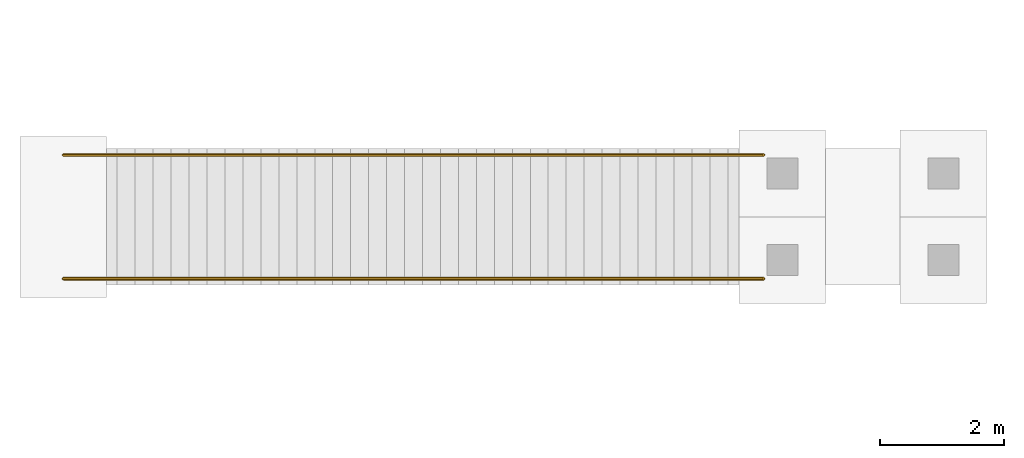
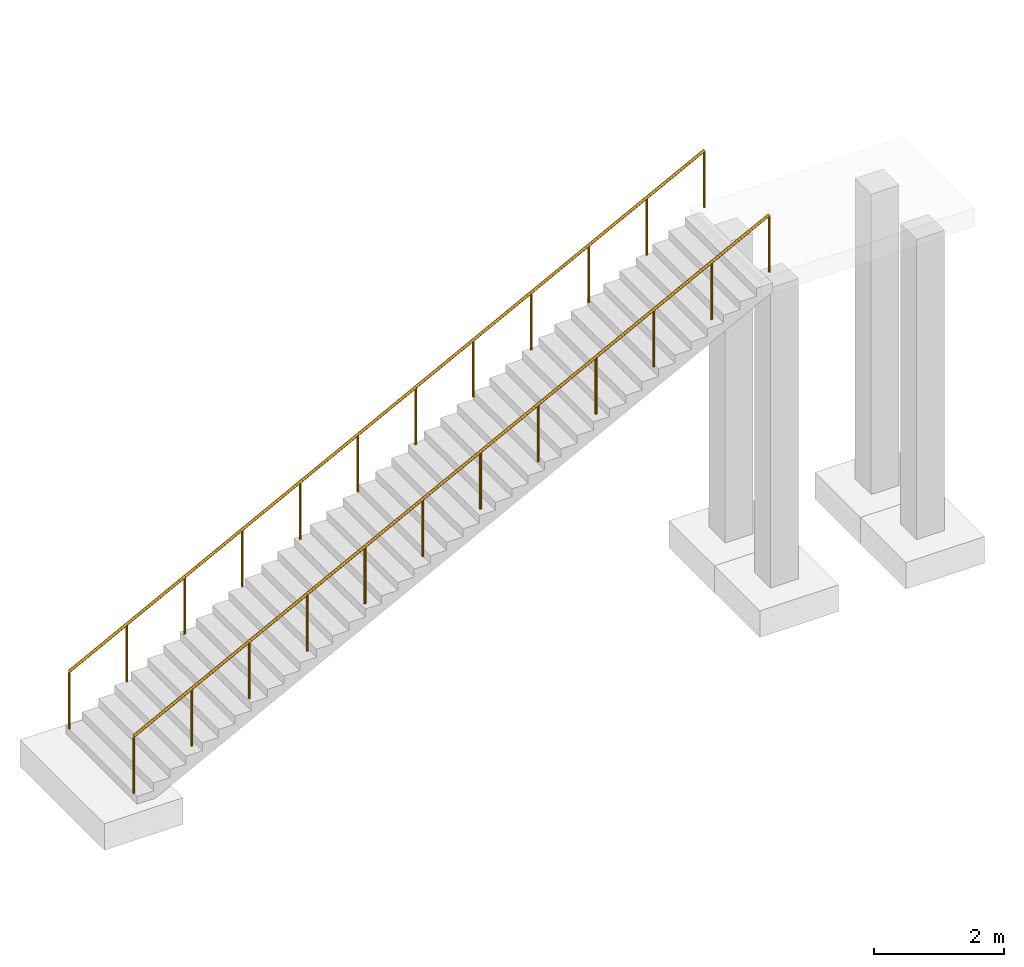
# One storey, part 20 of 25: 2 railings.
"""IFC4 building model written with IfcOpenShell, lengths in metres."""

from ifc_helpers import new_model, si_unit, direction, frame, origin, origin_2d, place, context, subcontext, project, spatial, circle, extrude, material, type_object, element, save


model = new_model("IFC4")

# Units and contexts
model_context = context("Model", 3, precision=1e-05, world=origin(), true_north=direction((0.0, 1.0)))
body_context = subcontext(model_context, "Body", "Model", "MODEL_VIEW")
ifc_project = project(units=[si_unit("LENGTHUNIT", "METRE"), si_unit("AREAUNIT", "SQUARE_METRE"), si_unit("VOLUMEUNIT", "CUBIC_METRE"), si_unit("PLANEANGLEUNIT", "RADIAN"), si_unit("MASSUNIT", "GRAM", prefix="KILO")], contexts=[model_context])

# Site, building, storey
site_placement = place(None, origin())
site = spatial("IfcSite", under=ifc_project, at=site_placement, CompositionType="ELEMENT")
building_placement = place(site_placement, origin())
building = spatial("IfcBuilding", under=site, at=building_placement, Name="Ostrander Bayou Hotel Tower", CompositionType="ELEMENT")
storey_placement = place(building_placement, origin())
storey = spatial("IfcBuildingStorey", under=building, at=storey_placement, Name="L00", CompositionType="ELEMENT", Elevation=0.0)

# Railings
ifc_material = material(Name="Stainless steel and clear glass", Category="steel")
railing_type = type_object("IfcRailingType", Name="GR1 guard 1100 mm", PredefinedType="GUARDRAIL", material=ifc_material)
railing_1_placement = place(storey_placement, frame((-66.25, 5.199951171875, 0.14990234375)))
element("IfcRailing", 1, at=railing_1_placement, inside=storey, type_object=railing_type, Name="GR1 deck stair guard WLA", PredefinedType="GUARDRAIL", context=body_context, shape_type="SweptSolid", body=[
    extrude(circle(Radius=0.02490234375, at=origin_2d()), frame((0.0, 0.0, 1.0751953125), z_axis=(0.888215484817, 0.0, 0.459427091637), x_axis=(0.0, 1.0, 0.0)), (0.0, 0.0, 1.0), 12.7333984375),
    extrude(circle(Radius=0.02001953125, at=origin_2d()), origin(), (0.0, 0.0, 1.0), 1.050048828125),
    extrude(circle(Radius=0.02001953125, at=origin_2d()), frame((1.028076171875, 0.0, 0.53173828125)), (0.0, 0.0, 1.0), 1.050048828125),
    extrude(circle(Radius=0.02001953125, at=origin_2d()), frame((2.056396484375, 0.0, 1.063720703125)), (0.0, 0.0, 1.0), 1.050048828125),
    extrude(circle(Radius=0.02001953125, at=origin_2d()), frame((3.08447265625, 0.0, 1.595458984375)), (0.0, 0.0, 1.0), 1.050048828125),
    extrude(circle(Radius=0.02001953125, at=origin_2d()), frame((4.11279296875, 0.0, 2.127197265625)), (0.0, 0.0, 1.0), 1.050048828125),
    extrude(circle(Radius=0.02001953125, at=origin_2d()), frame((5.140869140625, 0.0, 2.6591796875)), (0.0, 0.0, 1.0), 1.050048828125),
    extrude(circle(Radius=0.02001953125, at=origin_2d()), frame((6.169189453125, 0.0, 3.19091796875)), (0.0, 0.0, 1.0), 1.050048828125),
    extrude(circle(Radius=0.02001953125, at=origin_2d()), frame((7.197265625, 0.0, 3.722900390625)), (0.0, 0.0, 1.0), 1.050048828125),
    extrude(circle(Radius=0.02001953125, at=origin_2d()), frame((8.2255859375, 0.0, 4.254638671875)), (0.0, 0.0, 1.0), 1.050048828125),
    extrude(circle(Radius=0.02001953125, at=origin_2d()), frame((9.253662109375, 0.0, 4.786376953125)), (0.0, 0.0, 1.0), 1.050048828125),
    extrude(circle(Radius=0.02001953125, at=origin_2d()), frame((10.281982421875, 0.0, 5.318359375)), (0.0, 0.0, 1.0), 1.050048828125),
    extrude(circle(Radius=0.02001953125, at=origin_2d()), frame((11.31005859375, 0.0, 5.85009765625)), (0.0, 0.0, 1.0), 1.050048828125),
])
railing_2_placement = place(storey_placement, frame((-66.25, 3.199951171875, 0.14990234375)))
element("IfcRailing", 2, at=railing_2_placement, inside=storey, type_object=railing_type, Name="GR1 deck stair guard WRA", PredefinedType="GUARDRAIL", context=body_context, shape_type="SweptSolid", body=[
    extrude(circle(Radius=0.02490234375, at=origin_2d()), frame((0.0, 0.0, 1.0751953125), z_axis=(0.888215484817, 0.0, 0.459427091637), x_axis=(0.0, 1.0, 0.0)), (0.0, 0.0, 1.0), 12.7333984375),
    extrude(circle(Radius=0.02001953125, at=origin_2d()), origin(), (0.0, 0.0, 1.0), 1.050048828125),
    extrude(circle(Radius=0.02001953125, at=origin_2d()), frame((1.028076171875, 0.0, 0.53173828125)), (0.0, 0.0, 1.0), 1.050048828125),
    extrude(circle(Radius=0.02001953125, at=origin_2d()), frame((2.056396484375, 0.0, 1.063720703125)), (0.0, 0.0, 1.0), 1.050048828125),
    extrude(circle(Radius=0.02001953125, at=origin_2d()), frame((3.08447265625, 0.0, 1.595458984375)), (0.0, 0.0, 1.0), 1.050048828125),
    extrude(circle(Radius=0.02001953125, at=origin_2d()), frame((4.11279296875, 0.0, 2.127197265625)), (0.0, 0.0, 1.0), 1.050048828125),
    extrude(circle(Radius=0.02001953125, at=origin_2d()), frame((5.140869140625, 0.0, 2.6591796875)), (0.0, 0.0, 1.0), 1.050048828125),
    extrude(circle(Radius=0.02001953125, at=origin_2d()), frame((6.169189453125, 0.0, 3.19091796875)), (0.0, 0.0, 1.0), 1.050048828125),
    extrude(circle(Radius=0.02001953125, at=origin_2d()), frame((7.197265625, 0.0, 3.722900390625)), (0.0, 0.0, 1.0), 1.050048828125),
    extrude(circle(Radius=0.02001953125, at=origin_2d()), frame((8.2255859375, 0.0, 4.254638671875)), (0.0, 0.0, 1.0), 1.050048828125),
    extrude(circle(Radius=0.02001953125, at=origin_2d()), frame((9.253662109375, 0.0, 4.786376953125)), (0.0, 0.0, 1.0), 1.050048828125),
    extrude(circle(Radius=0.02001953125, at=origin_2d()), frame((10.281982421875, 0.0, 5.318359375)), (0.0, 0.0, 1.0), 1.050048828125),
    extrude(circle(Radius=0.02001953125, at=origin_2d()), frame((11.31005859375, 0.0, 5.85009765625)), (0.0, 0.0, 1.0), 1.050048828125),
])

save(model, "model.ifc")
